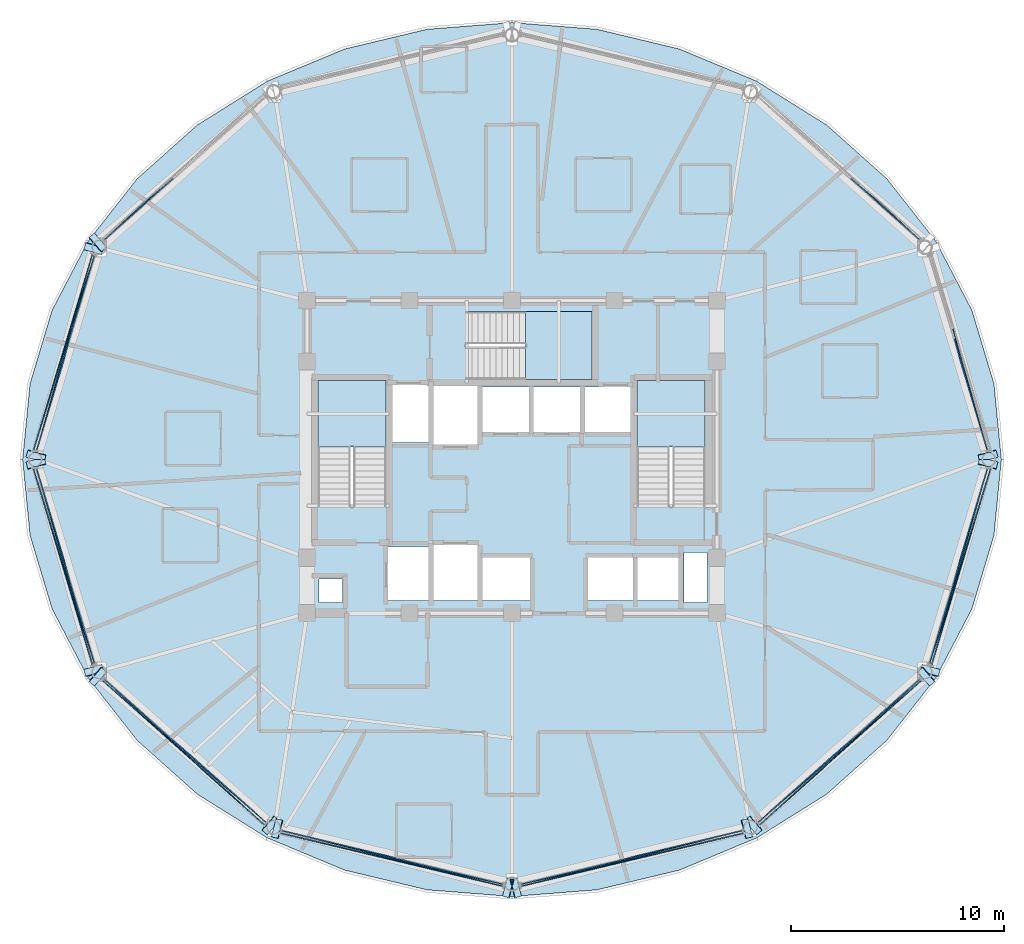
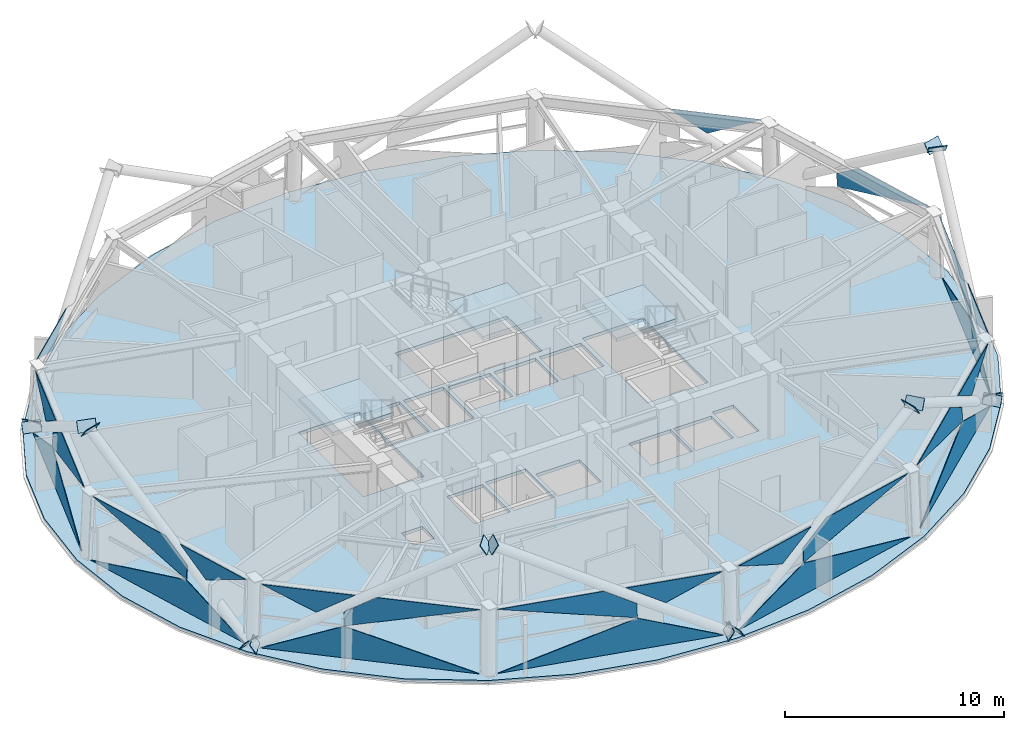
# One storey, part 5 of 14: 40 plates, 4 slabs, 13 elements without a shape of their own.
"""IFC4 building model written with IfcOpenShell, lengths in metres."""

from ifc_helpers import new_model, si_unit, direction, frame, origin, place, context, subcontext, project, spatial, polyline, outline, extrude, material, layer, layer_set, type_object, element, aggregate, save


model = new_model("IFC4")

# Units and contexts
model_context = context("Model", 3, precision=1e-05, world=origin(), true_north=direction((0.0, 1.0)))
body_context = subcontext(model_context, "Body", "Model", "MODEL_VIEW")
ifc_project = project(units=[si_unit("LENGTHUNIT", "METRE"), si_unit("AREAUNIT", "SQUARE_METRE"), si_unit("VOLUMEUNIT", "CUBIC_METRE"), si_unit("PLANEANGLEUNIT", "RADIAN"), si_unit("MASSUNIT", "GRAM", prefix="KILO")], contexts=[model_context])

# Site, building, storey
site_placement = place(None, origin())
site = spatial("IfcSite", under=ifc_project, at=site_placement, CompositionType="ELEMENT")
building_placement = place(site_placement, origin())
building = spatial("IfcBuilding", under=site, at=building_placement, Name="Vantalir Tower", CompositionType="ELEMENT")
storey_placement = place(building_placement, frame((0.0, 0.0, 204.89990234375)))
storey = spatial("IfcBuildingStorey", under=building, at=storey_placement, Name="L51", CompositionType="ELEMENT", Elevation=204.89990234375)

# Curtain wall, plate
ifc_material_1 = material(Name="Champagne-silver PVDF aluminium and double-silver Low-E glass", Category="aluminium")
ifc_layer_1 = layer(ifc_material_1, 0.2099609375)
ifc_layer_set_1 = layer_set([ifc_layer_1], Name="Champagne-silver PVDF aluminium and double-silver Low-E glass")
curtain_wall_type = type_object("IfcCurtainWallType", Name="CW-DIAMOND-Z3", PredefinedType="USERDEFINED", material=ifc_layer_set_1)
curtain_wall_1_placement = place(storey_placement, origin())
curtain_wall_1 = element("IfcCurtainWall", 1, at=curtain_wall_1_placement, inside=storey, type_object=curtain_wall_type, Name="L51 Quilted Pyramid-Diamond Curtain Wall S01", ObjectType="UNITISED CURTAIN WALL", PredefinedType="USERDEFINED")
ifc_material_2 = material(Name="Double-silver Low-E acoustic glass IGU", Category="glass")
ifc_layer_2 = layer(ifc_material_2, 0.031982421875)
ifc_layer_set_2 = layer_set([ifc_layer_2], Name="Double-silver Low-E acoustic glass IGU")
plate_type_1 = type_object("IfcPlateType", Name="CWP-IGU-32", PredefinedType="CURTAIN_PANEL", material=ifc_layer_set_2)
plate_1_placement = place(storey_placement, frame((53.8017578125, 25.406982421875, 3.5234375), z_axis=(0.956239501192, 0.287489674829, 0.054366379554), x_axis=(-0.287912685776, 0.957656662111, -5.3697803e-05)))
plate_1 = element("IfcPlate", 2, at=plate_1_placement, type_object=plate_type_1, Name="CW-L51-S01 Pyramid Diamond Facet 2U", PredefinedType="CURTAIN_PANEL", context=body_context, shape_type="SweptSolid", body=[
    extrude(outline(polyline([(0.0, 0.0), (4.526384767127169, -7.074419175467916e-18), (5.936978112730892, -0.9676650567308909), (5.937088054507275, -1.7280659031909096), (0.0, 0.0)])), origin(), (0.0, 0.0, -1.0), 0.031982421875),
])
aggregate(curtain_wall_1, [plate_1])

curtain_wall_2_placement = place(storey_placement, origin())
curtain_wall_2 = element("IfcCurtainWall", 3, at=curtain_wall_2_placement, inside=storey, type_object=curtain_wall_type, Name="L51 Quilted Pyramid-Diamond Curtain Wall S02", ObjectType="UNITISED CURTAIN WALL", PredefinedType="USERDEFINED")
plate_2_placement = place(storey_placement, frame((50.626708984375, 35.300537109375, 3.525146484375), z_axis=(0.664414234511, 0.745522788063, 0.052435650633), x_axis=(-0.746549812906, 0.66532952501, 0.0)))
plate_2 = element("IfcPlate", 4, at=plate_2_placement, type_object=plate_type_1, Name="CW-L51-S02 Pyramid Diamond Facet 2U Infill Light", PredefinedType="CURTAIN_PANEL", context=body_context, shape_type="SweptSolid", body=[
    extrude(outline(polyline([(0.0, 0.0), (4.328505957187899, 0.0), (2.5567697829233538, -1.149530622275994), (0.0, 0.0)])), origin(), (0.0, 0.0, -1.0), 0.031982421875),
])
aggregate(curtain_wall_2, [plate_2])

curtain_wall_3_placement = place(storey_placement, origin())
curtain_wall_3 = element("IfcCurtainWall", 5, at=curtain_wall_3_placement, inside=storey, type_object=curtain_wall_type, Name="L51 Quilted Pyramid-Diamond Curtain Wall S05", ObjectType="UNITISED CURTAIN WALL", PredefinedType="USERDEFINED")
plate_3_placement = place(storey_placement, frame((15.60498046875, 38.1806640625, 3.525146484375), z_axis=(-0.664422919874, 0.745525658249, 0.052284571707), x_axis=(-0.746546765222, -0.665332944725, 0.0)))
plate_3 = element("IfcPlate", 6, at=plate_3_placement, type_object=plate_type_1, Name="CW-L51-S05 Pyramid Diamond Facet 2U Infill Light", PredefinedType="CURTAIN_PANEL", context=body_context, shape_type="SweptSolid", body=[
    extrude(outline(polyline([(0.0, 0.0), (4.328850654337299, -1.3877787807814457e-17), (1.7718983329387956, -1.1495215039405913), (0.0, 0.0)])), origin(), (0.0, 0.0, -1.0), 0.031982421875),
])
aggregate(curtain_wall_3, [plate_3])

# Curtain wall, plates
curtain_wall_4_placement = place(storey_placement, origin())
curtain_wall_4 = element("IfcCurtainWall", 7, at=curtain_wall_4_placement, inside=storey, type_object=curtain_wall_type, Name="L51 Quilted Pyramid-Diamond Curtain Wall S06", ObjectType="UNITISED CURTAIN WALL", PredefinedType="USERDEFINED")
plate_4_placement = place(storey_placement, frame((11.829833984375, 34.651123046875, 0.047119140625), z_axis=(-0.957298870817, 0.287840527398, 0.026957424221), x_axis=(-0.287946477636, -0.957646502347, -5.0583483e-05)))
plate_4 = element("IfcPlate", 8, at=plate_4_placement, type_object=plate_type_1, Name="CW-L51-S06 Pyramid Diamond Facet 1L", PredefinedType="CURTAIN_PANEL", context=body_context, shape_type="SweptSolid", body=[
    extrude(outline(polyline([(0.0, 0.0), (9.652978006332328, 9.215718466126788e-18), (3.673344572286226, 1.7263991537582621), (0.0, 0.0)])), origin(), (0.0, 0.0, -1.0), 0.031982421875),
])
plate_5_placement = place(storey_placement, frame((10.50146484375, 29.74169921875, 3.523193359375), z_axis=(-0.956239501192, 0.287489674829, 0.054366379554), x_axis=(-0.287912685776, -0.957656662111, 5.3697803e-05)))
plate_5 = element("IfcPlate", 9, at=plate_5_placement, type_object=plate_type_1, Name="CW-L51-S06 Pyramid Diamond Facet 2U", PredefinedType="CURTAIN_PANEL", context=body_context, shape_type="SweptSolid", body=[
    extrude(outline(polyline([(0.0, 0.0), (4.526384767127169, 7.074419175467916e-18), (-1.4107032873801062, -1.7280659031909096), (-1.4105933456037236, -0.9676650567308909), (0.0, 0.0)])), origin(), (0.0, 0.0, -1.0), 0.031982421875),
])
plate_6_placement = place(storey_placement, frame((11.923095703125, 34.594482421875, 3.525146484375), z_axis=(-0.956236627282, 0.28747960004, 0.054470103764), x_axis=(-0.28790702627, -0.957658365089, 0.0)))
plate_6 = element("IfcPlate", 10, at=plate_6_placement, type_object=plate_type_1, Name="CW-L51-S06 Pyramid Diamond Facet 2U Infill Light", PredefinedType="CURTAIN_PANEL", context=body_context, shape_type="SweptSolid", body=[
    extrude(outline(polyline([(0.0, 0.0), (4.085588137568457, -6.938893903907228e-18), (2.416162989397814, -1.1452549308147306), (0.0, 0.0)])), origin(), (0.0, 0.0, -1.0), 0.031982421875),
])
aggregate(curtain_wall_4, [plate_4, plate_5, plate_6])

curtain_wall_5_placement = place(storey_placement, origin())
curtain_wall_5 = element("IfcCurtainWall", 11, at=curtain_wall_5_placement, inside=storey, type_object=curtain_wall_type, Name="L51 Quilted Pyramid-Diamond Curtain Wall S07", ObjectType="UNITISED CURTAIN WALL", PredefinedType="USERDEFINED")
plate_7_placement = place(storey_placement, frame((9.05029296875, 24.593017578125, 0.046630859375), z_axis=(-0.957299920267, -0.287840845097, 0.026916733664), x_axis=(0.287946477636, -0.957646502347, 5.0583483e-05)))
plate_7 = element("IfcPlate", 12, at=plate_7_placement, type_object=plate_type_1, Name="CW-L51-S07 Pyramid Diamond Facet 1L", PredefinedType="CURTAIN_PANEL", context=body_context, shape_type="SweptSolid", body=[
    extrude(outline(polyline([(0.0, 0.0), (9.652978006332328, 4.445228907190568e-18), (5.979867234461714, 1.7263972482747314), (0.0, 0.0)])), origin(), (0.0, 0.0, -1.0), 0.031982421875),
])
plate_8_placement = place(storey_placement, frame((9.1982421875, 24.593017578125, 3.5234375), z_axis=(-0.956243021291, -0.287472924562, 0.054393031492), x_axis=(0.287896376222, -0.957661565363, -5.2769963e-05)))
plate_8 = element("IfcPlate", 13, at=plate_8_placement, type_object=plate_type_1, Name="CW-L51-S07 Pyramid Diamond Facet 2U", PredefinedType="CURTAIN_PANEL", context=body_context, shape_type="SweptSolid", body=[
    extrude(outline(polyline([(0.0, 0.0), (4.526384766128815, -1.146543797403421e-17), (5.937445732382599, -0.9679164579125121), (5.937321856407049, -1.7280697135555925), (0.0, 0.0)])), origin(), (0.0, 0.0, -1.0), 0.031982421875),
])
plate_9_placement = place(storey_placement, frame((10.74658203125, 19.31787109375, 3.525146484375), z_axis=(-0.956245804076, -0.287488210733, 0.054263163168), x_axis=(0.287912400938, -0.957656749251, 0.0)))
plate_9 = element("IfcPlate", 14, at=plate_9_placement, type_object=plate_type_1, Name="CW-L51-S07 Pyramid Diamond Facet 2U Infill Light", PredefinedType="CURTAIN_PANEL", context=body_context, shape_type="SweptSolid", body=[
    extrude(outline(polyline([(0.0, 0.0), (4.086359837369516, 0.0), (1.6694950891500278, -1.1454865086681278), (0.0, 0.0)])), origin(), (0.0, 0.0, -1.0), 0.031982421875),
])
aggregate(curtain_wall_5, [plate_7, plate_8, plate_9])

curtain_wall_6_placement = place(storey_placement, origin())
curtain_wall_6 = element("IfcCurtainWall", 15, at=curtain_wall_6_placement, inside=storey, type_object=curtain_wall_type, Name="L51 Quilted Pyramid-Diamond Curtain Wall S08", ObjectType="UNITISED CURTAIN WALL", PredefinedType="USERDEFINED")
plate_10_placement = place(storey_placement, frame((12.269287109375, 14.659423828125, 0.046875), z_axis=(-0.665067251561, -0.746365029962, 0.024995858673), x_axis=(0.746597903354, -0.665275559551, -2.3897251e-05)))
plate_10 = element("IfcPlate", 16, at=plate_10_placement, type_object=plate_type_1, Name="CW-L51-S08 Pyramid Diamond Facet 1L", PredefinedType="CURTAIN_PANEL", context=body_context, shape_type="SweptSolid", body=[
    extrude(outline(polyline([(0.0, 0.0), (10.216264165730552, 5.637851296924623e-18), (3.895038004149878, 1.7264625844141201), (0.0, 0.0)])), origin(), (0.0, 0.0, -1.0), 0.031982421875),
])
plate_11_placement = place(storey_placement, frame((16.382568359375, 11.173828125, 3.5234375), z_axis=(-0.664372779147, -0.74558025518, 0.052143009258), x_axis=(0.746595918783, -0.665277787135, 4.44246e-07)))
plate_11 = element("IfcPlate", 17, at=plate_11_placement, type_object=plate_type_1, Name="CW-L51-S08 Pyramid Diamond Facet 2U", PredefinedType="CURTAIN_PANEL", context=body_context, shape_type="SweptSolid", body=[
    extrude(outline(polyline([(0.0, 0.0), (4.805956571944535, 0.0), (-1.494548057479271, -1.7284248556033575), (-1.494515067859789, -0.9698223796371328), (0.0, 0.0)])), origin(), (0.0, 0.0, -1.0), 0.031982421875),
])
plate_12_placement = place(storey_placement, frame((12.373291015625, 14.698486328125, 3.525146484375), z_axis=(-0.664357686699, -0.745592638299, 0.052158238453), x_axis=(0.746608897922, -0.665263221247, 0.0)))
plate_12 = element("IfcPlate", 18, at=plate_12_placement, type_object=plate_type_1, Name="CW-L51-S08 Pyramid Diamond Facet 2U Infill Light", PredefinedType="CURTAIN_PANEL", context=body_context, shape_type="SweptSolid", body=[
    extrude(outline(polyline([(0.0, 0.0), (4.327836409219099, 2.7755575615628914e-17), (2.556277166354591, -1.1495138994894791), (0.0, 0.0)])), origin(), (0.0, 0.0, -1.0), 0.031982421875),
])
aggregate(curtain_wall_6, [plate_10, plate_11, plate_12])

curtain_wall_7_placement = place(storey_placement, origin())
curtain_wall_7 = element("IfcCurtainWall", 19, at=curtain_wall_7_placement, inside=storey, type_object=curtain_wall_type, Name="L51 Quilted Pyramid-Diamond Curtain Wall S09", ObjectType="UNITISED CURTAIN WALL", PredefinedType="USERDEFINED")
plate_13_placement = place(storey_placement, frame((20.627197265625, 7.4814453125, 0.046630859375), z_axis=(-0.232215114723, -0.972391447685, 0.023043718519), x_axis=(0.972649848084, -0.232276284855, 2.2703185e-05)))
plate_13 = element("IfcPlate", 20, at=plate_13_placement, type_object=plate_type_1, Name="CW-L51-S09 Pyramid Diamond Facet 1L", PredefinedType="CURTAIN_PANEL", context=body_context, shape_type="SweptSolid", body=[
    extrude(outline(polyline([(0.0, 0.0), (10.753584835128112, 9.595189226496714e-18), (6.661264175056028, 1.7266256190751783), (0.0, 0.0)])), origin(), (0.0, 0.0, -1.0), 0.031982421875),
])
plate_14_placement = place(storey_placement, frame((20.701171875, 7.59521484375, 3.523681640625), z_axis=(-0.2319210361, -0.97142139428, 0.050528286622), x_axis=(0.972663266774, -0.23222008322, -4.9168802e-05)))
plate_14 = element("IfcPlate", 21, at=plate_14_placement, type_object=plate_type_1, Name="CW-L51-S09 Pyramid Diamond Facet 2U", PredefinedType="CURTAIN_PANEL", context=body_context, shape_type="SweptSolid", body=[
    extrude(outline(polyline([(0.0, 0.0), (5.060728592404765, -1.168227840853131e-17), (6.615807875864222, -0.9650187236365233), (6.615790030676881, -1.7284497703436388), (0.0, 0.0)])), origin(), (0.0, 0.0, -1.0), 0.031982421875),
])
plate_15_placement = place(storey_placement, frame((26.629638671875, 6.142822265625, 3.525390625), z_axis=(-0.231949361495, -0.971416171872, 0.050498660655), x_axis=(0.972656528999, -0.232248301925, -5.3378143e-05)))
plate_15 = element("IfcPlate", 22, at=plate_15_placement, type_object=plate_type_1, Name="CW-L51-S09 Pyramid Diamond Facet 2U Infill Light", PredefinedType="CURTAIN_PANEL", context=body_context, shape_type="SweptSolid", body=[
    extrude(outline(polyline([(0.0, 0.0), (4.5737938687664705, -4.20128341838133e-18), (1.8603697964153756, -1.154694252303959), (0.0, 0.0)])), origin(), (0.0, 0.0, -1.0), 0.031982421875),
])
aggregate(curtain_wall_7, [plate_13, plate_14, plate_15])

curtain_wall_8_placement = place(storey_placement, origin())
curtain_wall_8 = element("IfcCurtainWall", 23, at=curtain_wall_8_placement, inside=storey, type_object=curtain_wall_type, Name="L51 Quilted Pyramid-Diamond Curtain Wall S10", ObjectType="UNITISED CURTAIN WALL", PredefinedType="USERDEFINED")
plate_16_placement = place(storey_placement, frame((31.913330078125, 4.983642578125, 0.046875), z_axis=(0.232215114723, -0.972391447685, 0.023043718519), x_axis=(0.972649848084, 0.232276284855, -2.2703185e-05)))
plate_16 = element("IfcPlate", 24, at=plate_16_placement, type_object=plate_type_1, Name="CW-L51-S10 Pyramid Diamond Facet 1L", PredefinedType="CURTAIN_PANEL", context=body_context, shape_type="SweptSolid", body=[
    extrude(outline(polyline([(0.0, 0.0), (10.753584835128112, -9.595189226496714e-18), (4.092320660072084, 1.7266256190751783), (0.0, 0.0)])), origin(), (0.0, 0.0, -1.0), 0.031982421875),
])
plate_17_placement = place(storey_placement, frame((37.37646484375, 6.419921875, 3.5234375), z_axis=(0.2319210361, -0.97142139428, 0.050528286622), x_axis=(0.972663266774, 0.23222008322, 4.9168802e-05)))
plate_17 = element("IfcPlate", 25, at=plate_17_placement, type_object=plate_type_1, Name="CW-L51-S10 Pyramid Diamond Facet 2U", PredefinedType="CURTAIN_PANEL", context=body_context, shape_type="SweptSolid", body=[
    extrude(outline(polyline([(0.0, 0.0), (5.060728592404765, 1.168227840853131e-17), (-1.5550614382721153, -1.7284497703436388), (-1.5550792834594562, -0.9650187236365232), (0.0, 0.0)])), origin(), (0.0, 0.0, -1.0), 0.031982421875),
])
plate_18_placement = place(storey_placement, frame((31.921630859375, 5.08056640625, 3.525146484375), z_axis=(0.231949361495, -0.971416171872, 0.050498660655), x_axis=(0.972656528999, 0.232248301925, 5.3378143e-05)))
plate_18 = element("IfcPlate", 26, at=plate_18_placement, type_object=plate_type_1, Name="CW-L51-S10 Pyramid Diamond Facet 2U Infill Light", PredefinedType="CURTAIN_PANEL", context=body_context, shape_type="SweptSolid", body=[
    extrude(outline(polyline([(0.0, 0.0), (4.5737938687664705, 4.20128341838133e-18), (2.7134240723510956, -1.154694252303959), (0.0, 0.0)])), origin(), (0.0, 0.0, -1.0), 0.031982421875),
])
aggregate(curtain_wall_8, [plate_16, plate_17, plate_18])

curtain_wall_9_placement = place(storey_placement, origin())
curtain_wall_9 = element("IfcCurtainWall", 27, at=curtain_wall_9_placement, inside=storey, type_object=curtain_wall_type, Name="L51 Quilted Pyramid-Diamond Curtain Wall S11", ObjectType="UNITISED CURTAIN WALL", PredefinedType="USERDEFINED")
plate_19_placement = place(storey_placement, frame((43.103271484375, 7.86279296875, 0.046630859375), z_axis=(0.665067251561, -0.746365029962, 0.024995858673), x_axis=(0.746597903354, 0.665275559551, 2.3897251e-05)))
plate_19 = element("IfcPlate", 28, at=plate_19_placement, type_object=plate_type_1, Name="CW-L51-S11 Pyramid Diamond Facet 1L", PredefinedType="CURTAIN_PANEL", context=body_context, shape_type="SweptSolid", body=[
    extrude(outline(polyline([(0.0, 0.0), (10.216264165730552, -5.637851296924623e-18), (6.321226161580674, 1.72646258441412), (0.0, 0.0)])), origin(), (0.0, 0.0, -1.0), 0.031982421875),
])
plate_20_placement = place(storey_placement, frame((43.029296875, 7.9765625, 3.5234375), z_axis=(0.664372779147, -0.74558025518, 0.052143009258), x_axis=(0.746595918783, 0.665277787135, -4.44246e-07)))
plate_20 = element("IfcPlate", 29, at=plate_20_placement, type_object=plate_type_1, Name="CW-L51-S11 Pyramid Diamond Facet 2U", PredefinedType="CURTAIN_PANEL", context=body_context, shape_type="SweptSolid", body=[
    extrude(outline(polyline([(0.0, 0.0), (4.805956571944535, 0.0), (6.300471639804323, -0.9698223796371328), (6.3005046294238065, -1.7284248556033575), (0.0, 0.0)])), origin(), (0.0, 0.0, -1.0), 0.031982421875),
])
plate_21_placement = place(storey_placement, frame((47.3955078125, 11.8193359375, 3.525146484375), z_axis=(0.664357686699, -0.745592638299, 0.052158238453), x_axis=(0.746608897922, 0.665263221247, 0.0)))
plate_21 = element("IfcPlate", 30, at=plate_21_placement, type_object=plate_type_1, Name="CW-L51-S11 Pyramid Diamond Facet 2U Infill Light", PredefinedType="CURTAIN_PANEL", context=body_context, shape_type="SweptSolid", body=[
    extrude(outline(polyline([(0.0, 0.0), (4.327836409219099, -2.7755575615628914e-17), (1.7715592428645073, -1.1495138994894791), (0.0, 0.0)])), origin(), (0.0, 0.0, -1.0), 0.031982421875),
])
aggregate(curtain_wall_9, [plate_19, plate_20, plate_21])

curtain_wall_10_placement = place(storey_placement, origin())
curtain_wall_10 = element("IfcCurtainWall", 31, at=curtain_wall_10_placement, inside=storey, type_object=curtain_wall_type, Name="L51 Quilted Pyramid-Diamond Curtain Wall S12", ObjectType="UNITISED CURTAIN WALL", PredefinedType="USERDEFINED")
plate_22_placement = place(storey_placement, frame((51.170166015625, 15.348876953125, 0.047119140625), z_axis=(0.957299920267, -0.287840845097, 0.026916733664), x_axis=(0.287946477636, 0.957646502347, -5.0583483e-05)))
plate_22 = element("IfcPlate", 32, at=plate_22_placement, type_object=plate_type_1, Name="CW-L51-S12 Pyramid Diamond Facet 1L", PredefinedType="CURTAIN_PANEL", context=body_context, shape_type="SweptSolid", body=[
    extrude(outline(polyline([(0.0, 0.0), (9.652978006332328, -4.445228907190568e-18), (3.673110771870614, 1.7263972482747312), (0.0, 0.0)])), origin(), (0.0, 0.0, -1.0), 0.031982421875),
])
plate_23_placement = place(storey_placement, frame((52.49853515625, 20.25830078125, 3.523193359375), z_axis=(0.956243021291, -0.287472924562, 0.054393031492), x_axis=(0.287896376222, 0.957661565363, 5.2769963e-05)))
plate_23 = element("IfcPlate", 33, at=plate_23_placement, type_object=plate_type_1, Name="CW-L51-S12 Pyramid Diamond Facet 2U", PredefinedType="CURTAIN_PANEL", context=body_context, shape_type="SweptSolid", body=[
    extrude(outline(polyline([(0.0, 0.0), (4.526384766128815, 1.146543797403421e-17), (-1.4109370902782354, -1.7280697135555925), (-1.411060966253785, -0.9679164579125121), (0.0, 0.0)])), origin(), (0.0, 0.0, -1.0), 0.031982421875),
])
plate_24_placement = place(storey_placement, frame((51.076904296875, 15.404541015625, 3.525146484375), z_axis=(0.956245804076, -0.287488210733, 0.054263163168), x_axis=(0.287912400938, 0.957656749251, 0.0)))
plate_24 = element("IfcPlate", 34, at=plate_24_placement, type_object=plate_type_1, Name="CW-L51-S12 Pyramid Diamond Facet 2U Infill Light", PredefinedType="CURTAIN_PANEL", context=body_context, shape_type="SweptSolid", body=[
    extrude(outline(polyline([(0.0, 0.0), (4.086359837369516, 0.0), (2.416864748219488, -1.1454865086681278), (0.0, 0.0)])), origin(), (0.0, 0.0, -1.0), 0.031982421875),
])
aggregate(curtain_wall_10, [plate_22, plate_23, plate_24])

# Plates
ifc_material_3 = material(Name="Steel S460", Category="steel")
ifc_layer_3 = layer(ifc_material_3, 0.035888671875)
ifc_layer_set_3 = layer_set([ifc_layer_3], Name="Steel S460")
plate_type_2 = type_object("IfcPlateType", Name="PLT-KN-Z2", PredefinedType="USERDEFINED", material=ifc_layer_set_3)
plate_25_placement = place(storey_placement, frame((53.4287109375, 24.87646484375, 6.892333984375), z_axis=(0.221352071399, -0.794350792658, 0.565694333267), x_axis=(0.963310445614, 0.268389607633, -6.2339271e-05)))
element("IfcPlate", 35, at=plate_25_placement, inside=storey, type_object=plate_type_2, Name="Node Cap Plate MEM-DG-L51-R04R End", ObjectType="FLANGE_PLATE", PredefinedType="USERDEFINED", context=body_context, shape_type="SweptSolid", body=[
    extrude(outline(polyline([(0.0, 0.0), (0.8799186078495593, -5.551115123125783e-17), (0.8798422768894779, 0.5800601812342769), (-0.00014185576663257657, 0.5799271360538113), (0.0, 0.0)])), origin(), (0.0, 0.0, -1.0), 0.035888671875),
])
for number, where, z_axis, x_axis, name in (
    (36, (11.43359375, 34.8369140625, -0.030029296875), (-0.221352071399, -0.794350792658, 0.565694333267), (0.963310445614, -0.268389607633, 6.2339271e-05), "Node Cap Plate MEM-DG-L51-R16L Start"),
    (37, (8.7236328125, 25.112548828125, 6.892333984375), (-0.221352071399, -0.794350792658, 0.565694333267), (0.963310445614, -0.268389607633, 6.2339271e-05), "Node Cap Plate MEM-DG-L51-R16L End"),
):
    element("IfcPlate", number, at=place(storey_placement, frame(where, z_axis=z_axis, x_axis=x_axis)), inside=storey, type_object=plate_type_2, Name=name, ObjectType="FLANGE_PLATE", PredefinedType="USERDEFINED", context=body_context, shape_type="SweptSolid", body=[
        extrude(outline(polyline([(0.0, 0.0), (0.8799186078495593, 5.551115123125783e-17), (0.880060463616192, 0.5799271360538113), (7.633096008150328e-05, 0.5800601812342769), (0.0, 0.0)])), origin(), (0.0, 0.0, -1.0), 0.035888671875),
    ])
plate_26_placement = place(storey_placement, frame((12.50341796875, 34.95166015625, -0.0390625), z_axis=(0.636452618968, 0.546711402943, 0.544090714589), x_axis=(-0.651578514384, 0.758581200192, -4.8043938e-05)))
element("IfcPlate", 38, at=plate_26_placement, inside=storey, type_object=plate_type_2, Name="Node Cap Plate MEM-DG-L51-R16R Start", ObjectType="FLANGE_PLATE", PredefinedType="USERDEFINED", context=body_context, shape_type="SweptSolid", body=[
    extrude(outline(polyline([(0.0, 0.0), (0.8798504280026592, 0.0), (0.8799425667916586, 0.5799752478158672), (-6.693799673883233e-05, 0.5798744755371916), (0.0, 0.0)])), origin(), (0.0, 0.0, -1.0), 0.035888671875),
])
for number, where, z_axis, x_axis, name in (
    (39, (11.93017578125, 14.380859375, -0.0390625), (0.636452618968, -0.546711402943, 0.544090714589), (0.651578514384, 0.758581200192, 4.8043938e-05), "Node Cap Plate MEM-DG-L51-R22L Start"),
    (40, (20.034912109375, 7.41943359375, 6.892333984375), (0.636452618968, -0.546711402943, 0.544090714589), (0.651578514384, 0.758581200192, 4.8043938e-05), "Node Cap Plate MEM-DG-L51-R22L End"),
):
    element("IfcPlate", number, at=place(storey_placement, frame(where, z_axis=z_axis, x_axis=x_axis)), inside=storey, type_object=plate_type_2, Name=name, ObjectType="FLANGE_PLATE", PredefinedType="USERDEFINED", context=body_context, shape_type="SweptSolid", body=[
        extrude(outline(polyline([(0.0, 0.0), (0.8798504280026592, 0.0), (0.8799173659993981, 0.5798744755371916), (-9.213878899937239e-05, 0.5799752478158673), (0.0, 0.0)])), origin(), (0.0, 0.0, -1.0), 0.035888671875),
    ])
for number, where, z_axis, x_axis, name in (
    (41, (12.28125, 15.399169921875, -0.030029296875), (-0.221352071399, 0.794350792658, 0.565694333267), (-0.963310445614, -0.268389607633, -6.2339271e-05), "Node Cap Plate MEM-DG-L51-R22R Start"),
    (42, (9.5712890625, 25.12353515625, 6.892333984375), (-0.221352071399, 0.794350792658, 0.565694333267), (-0.963310445614, -0.268389607633, -6.2339271e-05), "Node Cap Plate MEM-DG-L51-R22R End"),
):
    element("IfcPlate", number, at=place(storey_placement, frame(where, z_axis=z_axis, x_axis=x_axis)), inside=storey, type_object=plate_type_2, Name=name, ObjectType="FLANGE_PLATE", PredefinedType="USERDEFINED", context=body_context, shape_type="SweptSolid", body=[
        extrude(outline(polyline([(0.0, 0.0), (0.8799186078495593, -5.551115123125783e-17), (0.8798422768894779, 0.5800601812342769), (-0.00014185576663257657, 0.5799271360538113), (0.0, 0.0)])), origin(), (0.0, 0.0, -1.0), 0.035888671875),
    ])
for number, where, z_axis, x_axis, name in (
    (43, (31.945068359375, 4.544921875, -0.046142578125), (0.823077572225, 0.211133189896, 0.527224891507), (-0.248435961674, 0.968648320766, -6.0205167e-05), "Node Cap Plate MEM-DG-L51-R28L Start"),
    (44, (42.775390625, 7.322265625, 6.892333984375), (0.823077572225, 0.211133189896, 0.527224891507), (-0.248435961674, 0.968648320766, -6.0205167e-05), "Node Cap Plate MEM-DG-L51-R28L End"),
):
    element("IfcPlate", number, at=place(storey_placement, frame(where, z_axis=z_axis, x_axis=x_axis)), inside=storey, type_object=plate_type_2, Name=name, ObjectType="FLANGE_PLATE", PredefinedType="USERDEFINED", context=body_context, shape_type="SweptSolid", body=[
        extrude(outline(polyline([(0.0, 0.0), (0.8798587581766908, 0.0), (0.8799149289483639, 0.5801552757925428), (-4.482539282437071e-06, 0.5800305911692192), (0.0, 0.0)])), origin(), (0.0, 0.0, -1.0), 0.035888671875),
    ])
for number, where, z_axis, x_axis, name in (
    (45, (31.2734375, 5.397216796875, -0.046142578125), (-0.823077572225, 0.211133189896, 0.527224891507), (-0.248435961674, -0.968648320766, 6.0205167e-05), "Node Cap Plate MEM-DG-L51-R28R Start"),
    (46, (20.443115234375, 8.174560546875, 6.892333984375), (-0.823077572225, 0.211133189896, 0.527224891507), (-0.248435961674, -0.968648320766, 6.0205167e-05), "Node Cap Plate MEM-DG-L51-R28R End"),
):
    element("IfcPlate", number, at=place(storey_placement, frame(where, z_axis=z_axis, x_axis=x_axis)), inside=storey, type_object=plate_type_2, Name=name, ObjectType="FLANGE_PLATE", PredefinedType="USERDEFINED", context=body_context, shape_type="SweptSolid", body=[
        extrude(outline(polyline([(0.0, 0.0), (0.8798587581766908, 0.0), (0.8798632407159732, 0.5800305911692192), (-5.6170771673109756e-05, 0.5801552757925428), (0.0, 0.0)])), origin(), (0.0, 0.0, -1.0), 0.035888671875),
    ])
for number, where, z_axis, x_axis, name in (
    (47, (51.56640625, 15.1630859375, -0.030029296875), (0.221352071399, 0.794350792658, 0.565694333267), (-0.963310445614, 0.268389607633, 6.2339271e-05), "Node Cap Plate MEM-DG-L51-R34L Start"),
    (48, (54.2763671875, 24.887451171875, 6.892333984375), (0.221352071399, 0.794350792658, 0.565694333267), (-0.963310445614, 0.268389607633, 6.2339271e-05), "Node Cap Plate MEM-DG-L51-R34L End"),
):
    element("IfcPlate", number, at=place(storey_placement, frame(where, z_axis=z_axis, x_axis=x_axis)), inside=storey, type_object=plate_type_2, Name=name, ObjectType="FLANGE_PLATE", PredefinedType="USERDEFINED", context=body_context, shape_type="SweptSolid", body=[
        extrude(outline(polyline([(0.0, 0.0), (0.8799186078495593, 5.551115123125783e-17), (0.880060463616192, 0.5799271360538113), (7.633096008150328e-05, 0.5800601812342769), (0.0, 0.0)])), origin(), (0.0, 0.0, -1.0), 0.035888671875),
    ])
for number, where, z_axis, x_axis, name in (
    (49, (50.49658203125, 15.04833984375, -0.0390625), (-0.636452618968, -0.546711402943, 0.544090714589), (0.651578514384, -0.758581200192, -4.8043938e-05), "Node Cap Plate MEM-DG-L51-R34R Start"),
    (50, (42.391845703125, 8.0869140625, 6.892333984375), (-0.636452618968, -0.546711402943, 0.544090714589), (0.651578514384, -0.758581200192, -4.8043938e-05), "Node Cap Plate MEM-DG-L51-R34R End"),
):
    element("IfcPlate", number, at=place(storey_placement, frame(where, z_axis=z_axis, x_axis=x_axis)), inside=storey, type_object=plate_type_2, Name=name, ObjectType="FLANGE_PLATE", PredefinedType="USERDEFINED", context=body_context, shape_type="SweptSolid", body=[
        extrude(outline(polyline([(0.0, 0.0), (0.8798504280026592, 0.0), (0.8799425667916586, 0.5799752478158672), (-6.693799673883233e-05, 0.5798744755371916), (0.0, 0.0)])), origin(), (0.0, 0.0, -1.0), 0.035888671875),
    ])

# Stair, slab
ifc_material_4 = material(Name="Concrete C40/50", Category="concrete")
stair_type = type_object("IfcStairType", Name="STR-CORE-1450", PredefinedType="HALF_TURN_STAIR", material=ifc_material_4)
stair_1_placement = place(storey_placement, origin())
stair_1 = element("IfcStair", 51, at=stair_1_placement, inside=storey, type_object=stair_type, Name="L51 Core Exit Stair 1", PredefinedType="HALF_TURN_STAIR")
ifc_layer_4 = layer(ifc_material_4, 0.199951171875)
ifc_layer_set_4 = layer_set([ifc_layer_4], Name="Concrete C40/50")
slab_type_1 = type_object("IfcSlabType", Name="SL-LAND-200", PredefinedType="LANDING", material=ifc_layer_set_4)
slab_1_placement = place(storey_placement, frame((0.0, 0.0, 1.675048828125)))
slab_1 = element("IfcSlab", 52, at=slab_1_placement, type_object=slab_type_1, Name="ST1 landing 1", PredefinedType="LANDING", context=body_context, shape_type="SweptSolid", body=[
    extrude(outline(polyline([(25.60009765625, 25.590087890625), (25.60009765625, 28.699951171875), (22.39990234375, 28.699951171875), (22.39990234375, 25.590087890625), (25.60009765625, 25.590087890625)])), origin(), (0.0, 0.0, 1.0), 0.199951171875),
])
aggregate(stair_1, [slab_1])

stair_2_placement = place(storey_placement, origin())
stair_2 = element("IfcStair", 53, at=stair_2_placement, inside=storey, type_object=stair_type, Name="L51 Core Exit Stair 2", PredefinedType="HALF_TURN_STAIR")
slab_2_placement = place(storey_placement, frame((0.0, 0.0, 1.675048828125)))
slab_2 = element("IfcSlab", 54, at=slab_2_placement, type_object=slab_type_1, Name="ST2 landing 1", PredefinedType="LANDING", context=body_context, shape_type="SweptSolid", body=[
    extrude(outline(polyline([(40.550048828125, 25.590087890625), (40.550048828125, 28.699951171875), (37.35009765625, 28.699951171875), (37.35009765625, 25.590087890625), (40.550048828125, 25.590087890625)])), origin(), (0.0, 0.0, 1.0), 0.199951171875),
])
aggregate(stair_2, [slab_2])

stair_3_placement = place(storey_placement, origin())
stair_3 = element("IfcStair", 55, at=stair_3_placement, inside=storey, type_object=stair_type, Name="L51 Core Exit Stair 3", PredefinedType="HALF_TURN_STAIR")
slab_3_placement = place(storey_placement, frame((0.0, 0.0, 1.675048828125)))
slab_3 = element("IfcSlab", 56, at=slab_3_placement, type_object=slab_type_1, Name="ST3 landing 1", PredefinedType="LANDING", context=body_context, shape_type="SweptSolid", body=[
    extrude(outline(polyline([(32.139892578125, 28.75), (35.25, 28.75), (35.25, 31.949951171875), (32.139892578125, 31.949951171875), (32.139892578125, 28.75)])), origin(), (0.0, 0.0, 1.0), 0.199951171875),
])
aggregate(stair_3, [slab_3])

# Slab
ifc_layer_5 = layer(ifc_material_4, 0.179931640625)
ifc_layer_set_5 = layer_set([ifc_layer_5], Name="Concrete C40/50")
slab_type_2 = type_object("IfcSlabType", Name="SL-TWR-180", PredefinedType="FLOOR", material=ifc_layer_set_5)
slab_4_placement = place(storey_placement, frame((0.0, 0.0, -0.179931640625)))
element("IfcSlab", 57, at=slab_4_placement, inside=storey, type_object=slab_type_2, Name="L51 Primary Structural Slab", PredefinedType="FLOOR", context=body_context, shape_type="SweptSolid", body=[
    extrude(outline(polyline([(13.93310546875, 11.839111328125), (16.760009765625, 9.31494140625), (20.033935546875, 7.26806640625), (23.656982421875, 5.760009765625), (27.51806640625, 4.8359375), (31.5, 4.52490234375), (35.48193359375, 4.8359375), (39.343017578125, 5.760009765625), (42.966064453125, 7.26806640625), (46.239990234375, 9.31494140625), (49.06689453125, 11.839111328125), (51.360107421875, 14.761962890625), (53.049072265625, 17.9970703125), (54.083984375, 21.445068359375), (54.431884765625, 25.0), (54.083984375, 28.554931640625), (53.049072265625, 32.0029296875), (51.360107421875, 35.237060546875), (49.06689453125, 38.160888671875), (46.239990234375, 40.68505859375), (42.966064453125, 42.73193359375), (39.343017578125, 44.239990234375), (35.48193359375, 45.1640625), (31.5, 45.47509765625), (27.51806640625, 45.1640625), (23.656982421875, 44.239990234375), (20.033935546875, 42.73193359375), (16.760009765625, 40.68505859375), (13.93310546875, 38.160888671875), (11.639892578125, 35.237060546875), (9.950927734375, 32.0029296875), (8.916015625, 28.554931640625), (8.568115234375, 25.0), (8.916015625, 21.445068359375), (9.950927734375, 17.9970703125), (11.639892578125, 14.761962890625), (13.93310546875, 11.839111328125)]), holes=[polyline([(22.39990234375, 28.699951171875), (25.60009765625, 28.699951171875), (25.60009765625, 22.7900390625), (22.39990234375, 22.7900390625), (22.39990234375, 28.699951171875)]), polyline([(40.550048828125, 28.699951171875), (40.550048828125, 22.7900390625), (37.35009765625, 22.7900390625), (37.35009765625, 28.699951171875), (40.550048828125, 28.699951171875)]), polyline([(29.340087890625, 28.75), (29.340087890625, 31.949951171875), (35.25, 31.949951171875), (35.25, 28.75), (29.340087890625, 28.75)]), polyline([(25.699951171875, 18.39990234375), (25.699951171875, 20.89990234375), (27.60009765625, 20.89990234375), (27.60009765625, 18.39990234375), (25.699951171875, 18.39990234375)]), polyline([(25.699951171875, 28.5), (27.60009765625, 28.5), (27.60009765625, 25.800048828125), (25.699951171875, 25.800048828125), (25.699951171875, 28.5)]), polyline([(29.89990234375, 21.0), (29.89990234375, 18.39990234375), (27.800048828125, 18.39990234375), (27.800048828125, 21.0), (29.89990234375, 21.0)]), polyline([(29.89990234375, 25.699951171875), (27.800048828125, 25.699951171875), (27.800048828125, 28.5), (29.89990234375, 28.5), (29.89990234375, 25.699951171875)]), polyline([(30.10009765625, 18.39990234375), (30.10009765625, 20.39990234375), (32.39990234375, 20.39990234375), (32.39990234375, 18.39990234375), (30.10009765625, 18.39990234375)]), polyline([(37.35009765625, 20.39990234375), (39.35009765625, 20.39990234375), (39.35009765625, 18.39990234375), (37.35009765625, 18.39990234375), (37.35009765625, 20.39990234375)]), polyline([(37.199951171875, 20.39990234375), (37.199951171875, 18.39990234375), (35.0, 18.39990234375), (35.0, 20.39990234375), (37.199951171875, 20.39990234375)]), polyline([(32.300048828125, 26.300048828125), (30.10009765625, 26.300048828125), (30.10009765625, 28.39990234375), (32.300048828125, 28.39990234375), (32.300048828125, 26.300048828125)]), polyline([(32.5, 26.300048828125), (32.5, 28.39990234375), (34.699951171875, 28.39990234375), (34.699951171875, 26.300048828125), (32.5, 26.300048828125)]), polyline([(34.89990234375, 28.39990234375), (37.10009765625, 28.39990234375), (37.10009765625, 26.300048828125), (34.89990234375, 26.300048828125), (34.89990234375, 28.39990234375)]), polyline([(23.550048828125, 19.39990234375), (23.550048828125, 18.300048828125), (22.449951171875, 18.300048828125), (22.449951171875, 19.39990234375), (23.550048828125, 19.39990234375)]), polyline([(40.64990234375, 18.300048828125), (39.550048828125, 18.300048828125), (39.550048828125, 20.64990234375), (40.64990234375, 20.64990234375), (40.64990234375, 18.300048828125)])]), origin(), (0.0, 0.0, 1.0), 0.179931640625),
])

save(model, "model.ifc")
